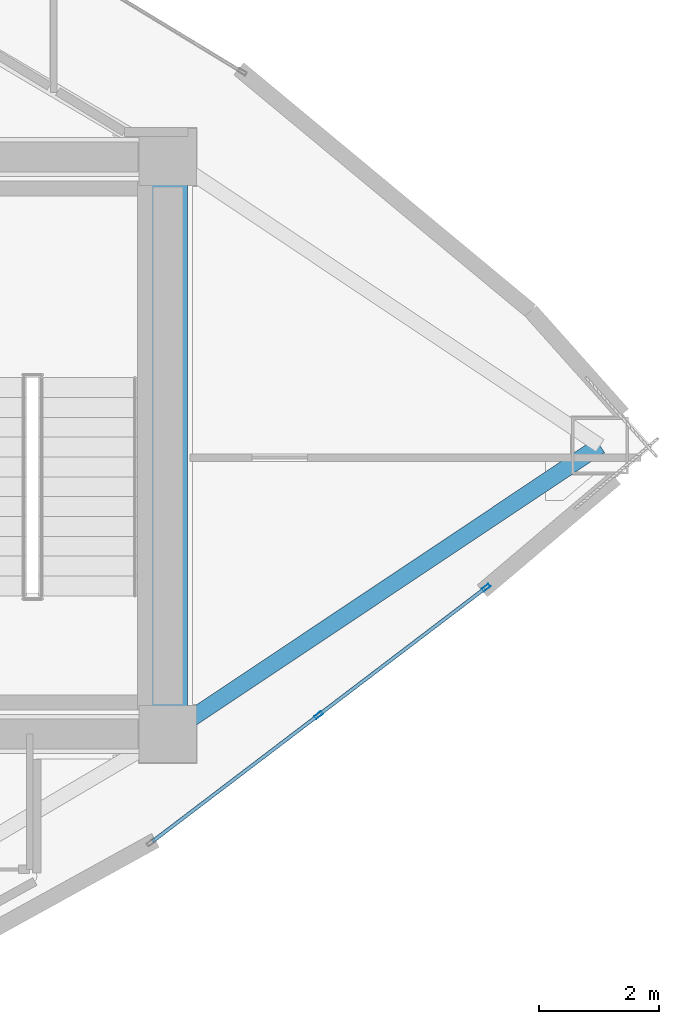
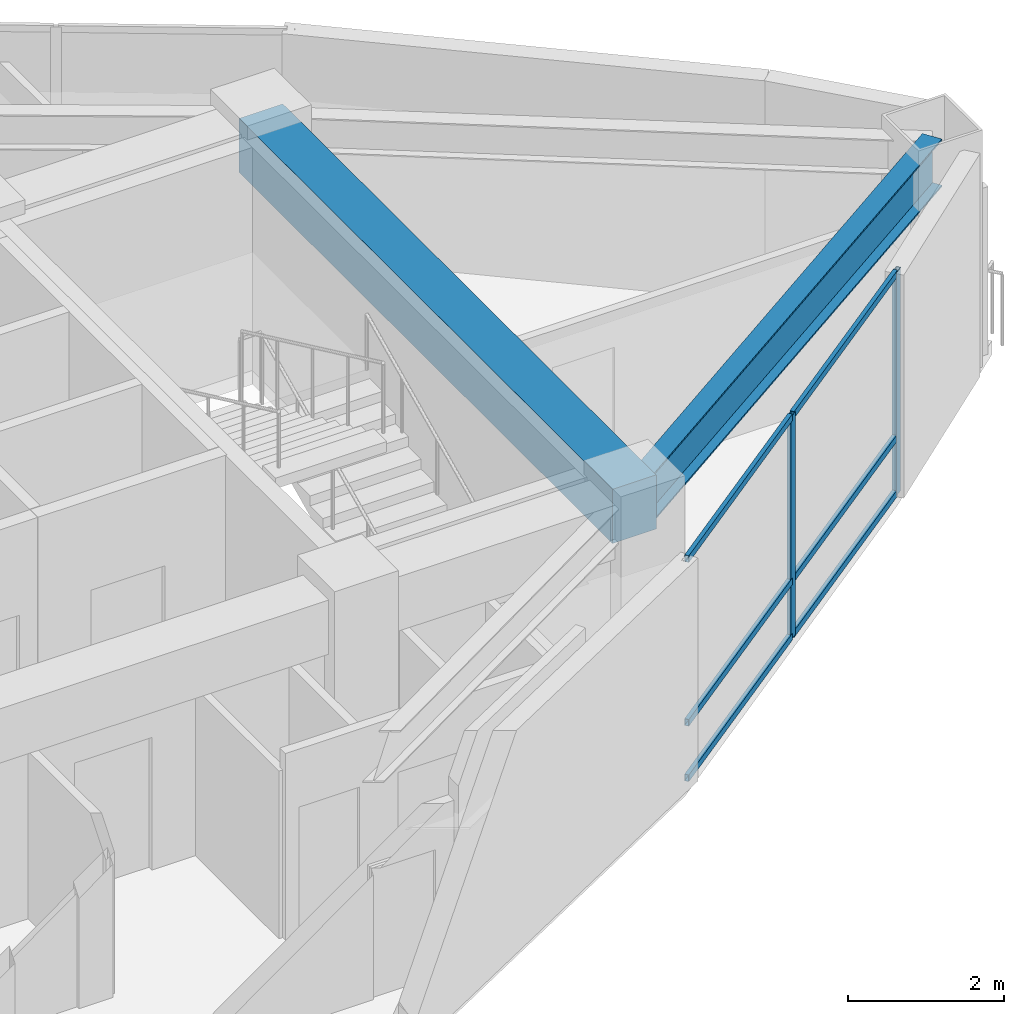
# One storey, part 5 of 15: 8 members, 2 beams, 1 element without a shape of its own.
"""IFC4 building model written with IfcOpenShell, lengths in metres."""

from ifc_helpers import new_model, si_unit, direction, frame, origin, origin_2d, place, context, subcontext, project, spatial, rectangle, hollow_rectangle, i_section, extrude, material, layer, layer_set, material_profile, profile_set, type_object, element, aggregate, save


model = new_model("IFC4")

# Units and contexts
model_context = context("Model", 3, precision=1e-05, world=origin(), true_north=direction((0.0, 1.0)))
body_context = subcontext(model_context, "Body", "Model", "MODEL_VIEW")
ifc_project = project(units=[si_unit("LENGTHUNIT", "METRE"), si_unit("AREAUNIT", "SQUARE_METRE"), si_unit("VOLUMEUNIT", "CUBIC_METRE"), si_unit("PLANEANGLEUNIT", "RADIAN"), si_unit("MASSUNIT", "GRAM", prefix="KILO")], contexts=[model_context])

# Site, building, storey
site_placement = place(None, origin())
site = spatial("IfcSite", under=ifc_project, at=site_placement, CompositionType="ELEMENT")
building_placement = place(site_placement, origin())
building = spatial("IfcBuilding", under=site, at=building_placement, Name="Menara Vayukalpa", CompositionType="ELEMENT")
storey_placement = place(building_placement, frame((0.0, 0.0, 176.639892578125)))
storey = spatial("IfcBuildingStorey", under=building, at=storey_placement, Name="L44", CompositionType="ELEMENT", Elevation=176.639892578125)

# Beams
ifc_material_1 = material(Name="Concrete C60/75", Category="concrete")
ifc_material_profile_1 = material_profile(ifc_material_1, rectangle(XDim=0.64990234375, YDim=0.85009765625, at=origin_2d()), Name="RC 650x850")
ifc_profile_set_1 = profile_set([ifc_material_profile_1], Name="Concrete C60/75")
beam_type_1 = type_object("IfcBeamType", Name="BM-CB1", PredefinedType="BEAM", material=ifc_profile_set_1)
beam_1_placement = place(storey_placement, frame((33.39990234375, 17.199951171875, 3.0751953125), z_axis=(0.0, 1.0, 0.0), x_axis=(-1.0, 0.0, 0.0)))
element("IfcBeam", 1, at=beam_1_placement, inside=storey, type_object=beam_type_1, Name="L44 Core Tie Beam CBR8", PredefinedType="BEAM", context=body_context, shape_type="SweptSolid", body=[
    extrude(rectangle(XDim=0.64990234375, YDim=0.85009765625, at=origin_2d()), origin(), (0.0, 0.0, 1.0), 9.60009765625),
])
ifc_material_2 = material(Name="Steel S355", Category="steel")
ifc_material_profile_2 = material_profile(ifc_material_2, i_section(OverallWidth=0.280029296875, OverallDepth=0.75, WebThickness=0.013916015625, FlangeThickness=0.02490234375, at=origin_2d()), Name="WF 750x280x14x25")
ifc_profile_set_2 = profile_set([ifc_material_profile_2], Name="Steel S355")
beam_type_2 = type_object("IfcBeamType", Name="BM-PG4", PredefinedType="BEAM", material=ifc_profile_set_2)
beam_2_placement = place(storey_placement, frame((33.60791015625, 17.3388671875, 3.125), z_axis=(0.831719080732, 0.555196695547, 0.0), x_axis=(-0.555196695547, 0.831719080732, 0.0)))
element("IfcBeam", 2, at=beam_2_placement, inside=storey, type_object=beam_type_2, Name="L44 Primary Radial Girder RG01", PredefinedType="BEAM", context=body_context, shape_type="SweptSolid", body=[
    extrude(i_section(OverallWidth=0.280029296875, OverallDepth=0.75, WebThickness=0.013916015625, FlangeThickness=0.02490234375, at=origin_2d()), origin(), (0.0, 0.0, 1.0), 8.3955078125),
])

# Curtain wall, members
ifc_material_3 = material(Name="Anodised Terracotta Aluminium Alloy 6063-T6", Category="masonry")
ifc_layer = layer(ifc_material_3, 0.139892578125)
ifc_layer_set = layer_set([ifc_layer], Name="Anodised Terracotta Aluminium Alloy 6063-T6")
curtain_wall_type = type_object("IfcCurtainWallType", Name="CW-CW5", PredefinedType="USERDEFINED", material=ifc_layer_set)
curtain_wall_placement = place(storey_placement, origin())
curtain_wall = element("IfcCurtainWall", 3, at=curtain_wall_placement, inside=storey, type_object=curtain_wall_type, Name="L44 High Rise Tapered Curtain Wall CW5 19", ObjectType="UNITISED", PredefinedType="USERDEFINED")
ifc_material_4 = material(Name="Anodised Terracotta Aluminium Alloy 6063-T6", Category="masonry")
ifc_material_profile_3 = material_profile(ifc_material_4, hollow_rectangle(XDim=0.06005859375, YDim=0.139892578125, WallThickness=0.00341796875, at=origin_2d()), Name="ALU 60x140x3.5")
ifc_profile_set_3 = profile_set([ifc_material_profile_3], Name="Anodised Terracotta Aluminium Alloy 6063-T6")
member_type_1 = type_object("IfcMemberType", Name="CWM-CW5", PredefinedType="MULLION", material=ifc_profile_set_3)
member_1_placement = place(storey_placement, frame((35.90966796875, 17.517822265625, 0.0), z_axis=(0.0, 0.0, 1.0), x_axis=(-0.60554034445, 0.795814608589, 0.0)))
member_1 = element("IfcMember", 4, at=member_1_placement, type_object=member_type_1, Name="CW5 mullion 2", PredefinedType="MULLION", context=body_context, shape_type="SweptSolid", body=[
    extrude(hollow_rectangle(XDim=0.06005859375, YDim=0.139892578125, WallThickness=0.00341796875, at=origin_2d()), origin(), (0.0, 0.0, 1.0), 3.5),
])
member_2_placement = place(storey_placement, frame((38.697265625, 19.638916015625, 0.0), z_axis=(0.0, 0.0, 1.0), x_axis=(-0.60554034445, 0.795814608589, 0.0)))
member_2 = element("IfcMember", 5, at=member_2_placement, type_object=member_type_1, Name="CW5 mullion 3", PredefinedType="MULLION", context=body_context, shape_type="SweptSolid", body=[
    extrude(hollow_rectangle(XDim=0.06005859375, YDim=0.139892578125, WallThickness=0.00341796875, at=origin_2d()), origin(), (0.0, 0.0, 1.0), 3.5),
])
ifc_material_5 = material(Name="Anodised Terracotta Aluminium Alloy 6063-T6", Category="masonry")
ifc_material_profile_4 = material_profile(ifc_material_5, hollow_rectangle(XDim=0.06005859375, YDim=0.10498046875, WallThickness=0.0029296875, at=origin_2d()), Name="ALU 60x105x3")
ifc_profile_set_4 = profile_set([ifc_material_profile_4], Name="Anodised Terracotta Aluminium Alloy 6063-T6")
member_type_2 = type_object("IfcMemberType", Name="CWT-CW5", PredefinedType="USERDEFINED", material=ifc_profile_set_4)
member_3_placement = place(storey_placement, frame((33.14599609375, 15.414794921875, 0.030029296875), z_axis=(0.795836865502, 0.605511092803, 0.0), x_axis=(-0.605511092803, 0.795836865502, 0.0)))
member_3 = element("IfcMember", 6, at=member_3_placement, type_object=member_type_2, Name="CW5 transom 1.1", ObjectType="TRANSOM", PredefinedType="USERDEFINED", context=body_context, shape_type="SweptSolid", body=[
    extrude(hollow_rectangle(XDim=0.06005859375, YDim=0.10498046875, WallThickness=0.0029296875, at=origin_2d()), origin(), (0.0, 0.0, 1.0), 3.44287109375),
])
member_4_placement = place(storey_placement, frame((33.14599609375, 15.414794921875, 0.900146484375), z_axis=(0.795836865502, 0.605511092803, 0.0), x_axis=(-0.605511092803, 0.795836865502, 0.0)))
member_4 = element("IfcMember", 7, at=member_4_placement, type_object=member_type_2, Name="CW5 transom 1.2", ObjectType="TRANSOM", PredefinedType="USERDEFINED", context=body_context, shape_type="SweptSolid", body=[
    extrude(hollow_rectangle(XDim=0.06005859375, YDim=0.10498046875, WallThickness=0.0029296875, at=origin_2d()), origin(), (0.0, 0.0, 1.0), 3.44287109375),
])
member_5_placement = place(storey_placement, frame((33.14599609375, 15.414794921875, 3.47021484375), z_axis=(0.795836865502, 0.605511092803, 0.0), x_axis=(-0.605511092803, 0.795836865502, 0.0)))
member_5 = element("IfcMember", 8, at=member_5_placement, type_object=member_type_2, Name="CW5 transom 1.3", ObjectType="TRANSOM", PredefinedType="USERDEFINED", context=body_context, shape_type="SweptSolid", body=[
    extrude(hollow_rectangle(XDim=0.06005859375, YDim=0.10498046875, WallThickness=0.0029296875, at=origin_2d()), origin(), (0.0, 0.0, 1.0), 3.44287109375),
])
member_6_placement = place(storey_placement, frame((35.93359375, 17.535888671875, 0.030029296875), z_axis=(0.795810864143, 0.605545265453, 0.0), x_axis=(-0.605545265453, 0.795810864143, 0.0)))
member_6 = element("IfcMember", 9, at=member_6_placement, type_object=member_type_2, Name="CW5 transom 2.1", ObjectType="TRANSOM", PredefinedType="USERDEFINED", context=body_context, shape_type="SweptSolid", body=[
    extrude(hollow_rectangle(XDim=0.06005859375, YDim=0.10498046875, WallThickness=0.0029296875, at=origin_2d()), origin(), (0.0, 0.0, 1.0), 3.442626953125),
])
member_7_placement = place(storey_placement, frame((35.93359375, 17.535888671875, 0.900146484375), z_axis=(0.795810864143, 0.605545265453, 0.0), x_axis=(-0.605545265453, 0.795810864143, 0.0)))
member_7 = element("IfcMember", 10, at=member_7_placement, type_object=member_type_2, Name="CW5 transom 2.2", ObjectType="TRANSOM", PredefinedType="USERDEFINED", context=body_context, shape_type="SweptSolid", body=[
    extrude(hollow_rectangle(XDim=0.06005859375, YDim=0.10498046875, WallThickness=0.0029296875, at=origin_2d()), origin(), (0.0, 0.0, 1.0), 3.442626953125),
])
member_8_placement = place(storey_placement, frame((35.93359375, 17.535888671875, 3.47021484375), z_axis=(0.795810864143, 0.605545265453, 0.0), x_axis=(-0.605545265453, 0.795810864143, 0.0)))
member_8 = element("IfcMember", 11, at=member_8_placement, type_object=member_type_2, Name="CW5 transom 2.3", ObjectType="TRANSOM", PredefinedType="USERDEFINED", context=body_context, shape_type="SweptSolid", body=[
    extrude(hollow_rectangle(XDim=0.06005859375, YDim=0.10498046875, WallThickness=0.0029296875, at=origin_2d()), origin(), (0.0, 0.0, 1.0), 3.442626953125),
])
aggregate(curtain_wall, [member_1, member_2, member_3, member_4, member_5, member_6, member_7, member_8])

save(model, "model.ifc")
